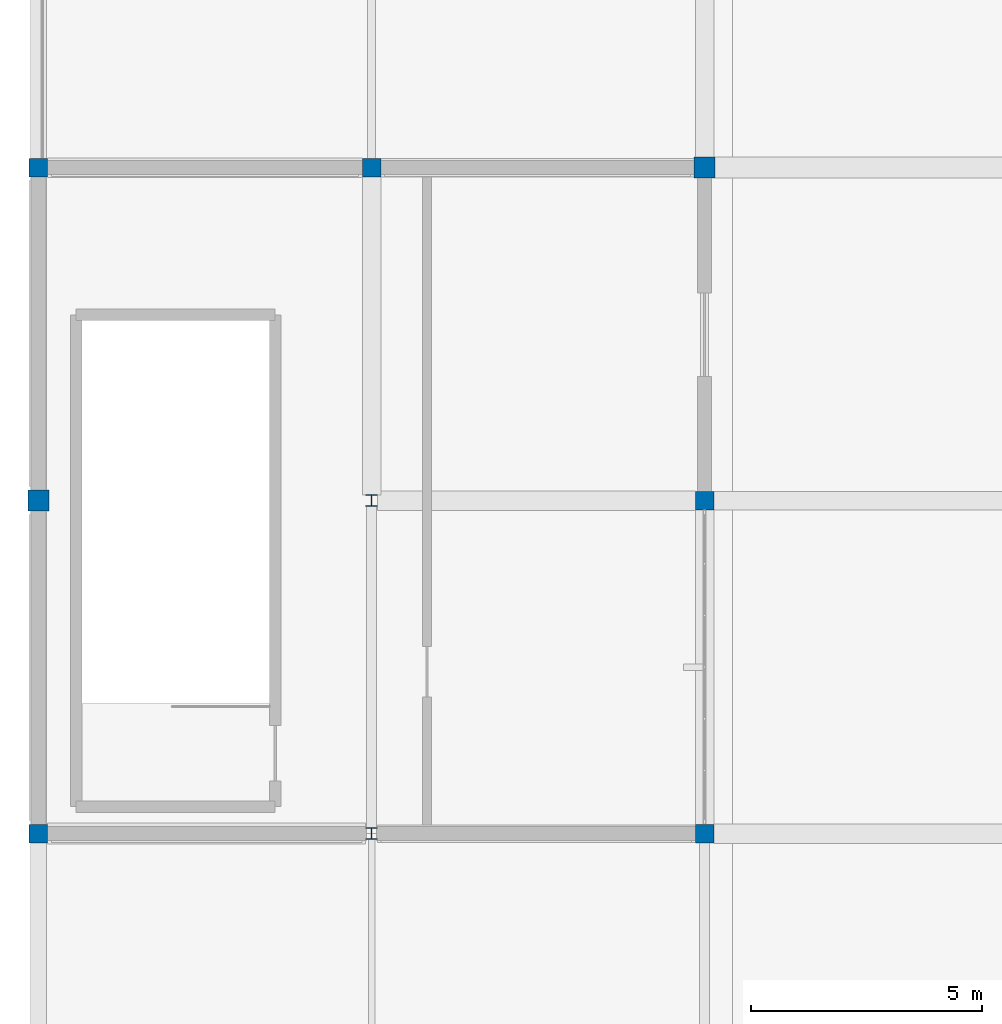
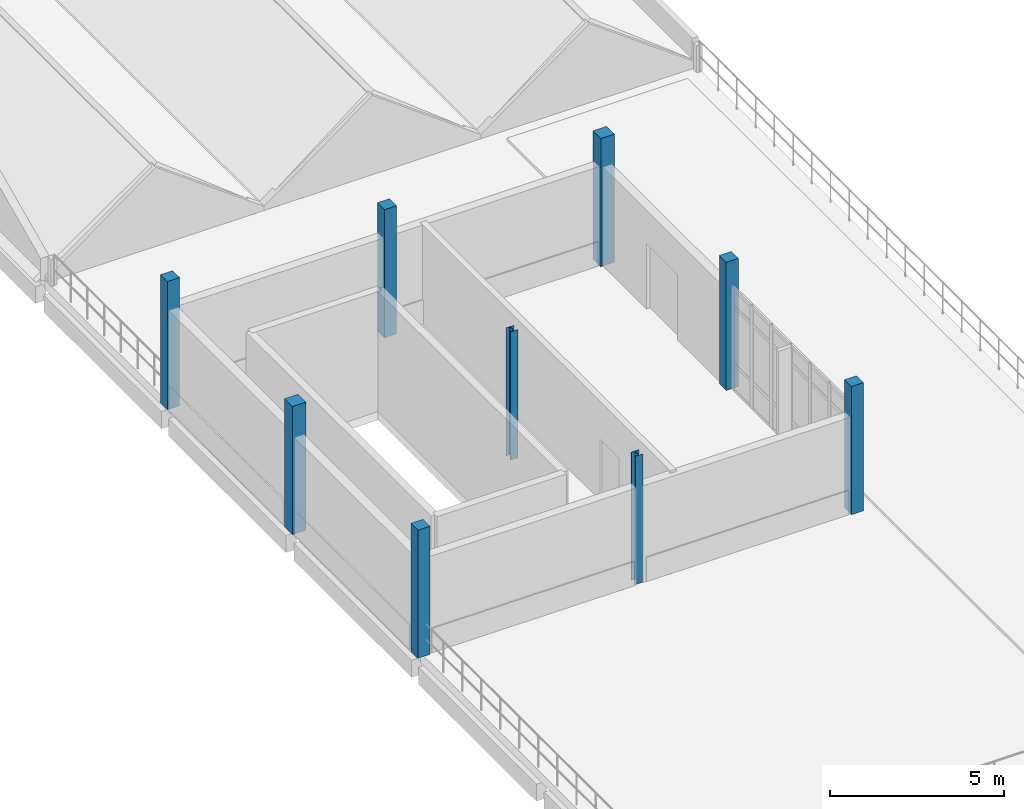
# One storey, part 1 of 41: 9 columns.
"""IFC4 building model written with IfcOpenShell, lengths in metres."""

import ifcopenshell
import ifcopenshell.guid

model = None  # the IFC model being written
_history = None  # IfcOwnerHistory: only IFC2X3 demands one
_inside = {}  # id of a spatial element -> (the spatial element, [elements in it])
_under = {}  # id of a project, library or spatial element -> (it, [spatial elements below it])
_declared = {}  # id of a project -> (the project, [libraries it declares])
_typed = {}  # id of a type object -> (the type object, [elements of that type])
_made_of = {}  # id of a material, layer set ... -> (it, [elements and type objects made of it])


def new_model(schema):
    """Start an empty IFC model of exactly this schema.

    Asked for "IFC4X3", IfcOpenShell would pick the latest addendum, in which some entities
    have other attributes; the version numbers below select the first issue.
    IFC2X3 requires an IfcOwnerHistory on every rooted entity: one is made here for all.
    """
    global model, _history
    if schema == "IFC4X3":
        model = ifcopenshell.file(schema_version=(4, 3, 0, 0))
    else:
        model = ifcopenshell.file(schema=schema)
    _inside.clear()
    _under.clear()
    _declared.clear()
    _typed.clear()
    _made_of.clear()
    _history = None
    if model.schema == "IFC2X3":
        org = make("IfcOrganization", Name="unknown")
        user = make(
            "IfcPersonAndOrganization",
            ThePerson=make("IfcPerson", FamilyName="unknown"),
            TheOrganization=org,
        )
        app = make(
            "IfcApplication",
            ApplicationDeveloper=org,
            Version="unknown",
            ApplicationFullName="unknown",
            ApplicationIdentifier="unknown",
        )
        _history = make(
            "IfcOwnerHistory",
            OwningUser=user,
            OwningApplication=app,
            ChangeAction="ADDED",
            CreationDate=0,
        )
    return model


def make(cls, **values):
    """One entity of the class cls with the attributes given. An attribute that is None is left unset."""
    return model.create_entity(
        cls, **{name: value for name, value in values.items() if value is not None}
    )


def rooted(cls, **values):
    """An entity with a GlobalId (a new one), such as an element, a storey or a relation."""
    return make(cls, GlobalId=ifcopenshell.guid.new(), OwnerHistory=_history, **values)


def si_unit(unit_type, name, prefix=None):
    """IfcSIUnit, for example si_unit("LENGTHUNIT", "METRE", prefix="MILLI")."""
    return make("IfcSIUnit", UnitType=unit_type, Prefix=prefix, Name=name)


def assignment(units):
    """IfcUnitAssignment: the units of a project."""
    return None if units is None else make("IfcUnitAssignment", Units=units)


def point(xyz):
    """IfcCartesianPoint."""
    return None if xyz is None else make("IfcCartesianPoint", Coordinates=xyz)


def direction(xyz):
    """IfcDirection."""
    return None if xyz is None else make("IfcDirection", DirectionRatios=xyz)


def frame(location, z_axis=None, x_axis=None):
    """IfcAxis2Placement3D, a coordinate frame: its origin and axes. An axis left out is left unset."""
    return make(
        "IfcAxis2Placement3D",
        Location=point(location),
        Axis=direction(z_axis),
        RefDirection=direction(x_axis),
    )


def frame_2d(location, x_axis=None):
    """IfcAxis2Placement2D, a coordinate frame in the plane: its origin and x axis."""
    return make(
        "IfcAxis2Placement2D", Location=point(location), RefDirection=direction(x_axis)
    )


def origin():
    """The frame at (0, 0, 0) with its axes left unset."""
    return frame((0.0, 0.0, 0.0))


def origin_2d():
    """The frame at (0, 0) in the plane with its x axis left unset."""
    return frame_2d((0.0, 0.0))


def place(relative_to, where):
    """IfcLocalPlacement: puts the frame where relative to a parent placement (None: the world)."""
    return make(
        "IfcLocalPlacement", PlacementRelTo=relative_to, RelativePlacement=where
    )


def context(
    kind, dimensions, precision=None, world=None, true_north=None, identifier=None
):
    """IfcGeometricRepresentationContext, for example the 3D "Model" context."""
    return make(
        "IfcGeometricRepresentationContext",
        ContextIdentifier=identifier,
        ContextType=kind,
        CoordinateSpaceDimension=dimensions,
        Precision=precision,
        WorldCoordinateSystem=world,
        TrueNorth=true_north,
    )


def subcontext(parent, identifier, kind, view, scale=None):
    """IfcGeometricRepresentationSubContext, for example "Body" below "Model"."""
    return make(
        "IfcGeometricRepresentationSubContext",
        ContextIdentifier=identifier,
        ContextType=kind,
        ParentContext=parent,
        TargetScale=scale,
        TargetView=view,
    )


def project(units=None, contexts=None):
    """IfcProject with its units and contexts."""
    return rooted(
        "IfcProject",
        Name="project",
        RepresentationContexts=contexts,
        UnitsInContext=assignment(units),
    )


def spatial(cls, under=None, at=None, **own):
    """A site, building, storey or space (cls), placed at a placement, below another one or the project."""
    s = rooted(cls, ObjectPlacement=at, **own)
    if under is not None:
        _under.setdefault(under.id(), (under, []))[1].append(s)
    return s


def profile(cls, at=None, kind="AREA", **sizes):
    """A parametric profile (cls). Its sizes go by their IFC names, for example OverallWidth=200.0."""
    return make(cls, ProfileType=kind, Position=at, **sizes)


def rectangle(**sizes):
    """IfcRectangleProfileDef."""
    return profile("IfcRectangleProfileDef", **sizes)


def i_section(**sizes):
    """IfcIShapeProfileDef."""
    return profile("IfcIShapeProfileDef", **sizes)


def extrude(swept, where, along, depth):
    """IfcExtrudedAreaSolid: the profile swept, set in the frame where, extruded along a direction by depth."""
    return make(
        "IfcExtrudedAreaSolid",
        SweptArea=swept,
        Position=where,
        ExtrudedDirection=direction(along),
        Depth=depth,
    )


def shape(context_of_items, identifier, shape_type, items):
    """IfcShapeRepresentation: the items that make up one representation, for example the "Body"."""
    return make(
        "IfcShapeRepresentation",
        ContextOfItems=context_of_items,
        RepresentationIdentifier=identifier,
        RepresentationType=shape_type,
        Items=items,
    )


def material(Name=None, Category=None):
    """IfcMaterial."""
    return make("IfcMaterial", Name=Name, Category=Category)


def material_profile(
    of_material, cross_section, Name=None, Category=None, Priority=None
):
    """IfcMaterialProfile: a cross section and its material."""
    return make(
        "IfcMaterialProfile",
        Name=Name,
        Material=of_material,
        Profile=cross_section,
        Priority=Priority,
        Category=Category,
    )


def profile_set(profiles, Name=None, composite=None):
    """IfcMaterialProfileSet."""
    return make(
        "IfcMaterialProfileSet",
        Name=Name,
        MaterialProfiles=profiles,
        CompositeProfile=composite,
    )


def made_of(thing, what):
    """Note that an element or type object is made of a material, layer set ...; save() writes the relation."""
    if what is not None:
        _made_of.setdefault(what.id(), (what, []))[1].append(thing)
    return thing


def type_object(cls, material=None, **own):
    """A type object (cls), such as IfcWallType, which elements share."""
    return made_of(rooted(cls, **own), material)


def element(
    cls,
    number,
    at=None,
    inside=None,
    cuts=None,
    type_object=None,
    material=None,
    context=None,
    identifier="Body",
    shape_type=None,
    held_by="IfcProductDefinitionShape",
    body=None,
    shapes=None,
    **own,
):
    """One element of the class cls, such as IfcWall. Its Tag is "e" and its number.

    at: its placement. inside: the storey or other place that contains it. cuts: it is an
    opening in that element (IfcRelVoidsElement). A single representation is given by context,
    identifier, shape_type and body (its items); several are given by shapes. held_by: the class
    of the entity that holds the representations. save() writes the other relations.
    """
    e = rooted(cls, Tag="e%d" % number, ObjectPlacement=at, **own)
    if body is not None:
        shapes = [shape(context, identifier, shape_type, body)]
    if shapes is not None:
        e.Representation = make(held_by, Representations=shapes)
    if inside is not None:
        _inside.setdefault(inside.id(), (inside, []))[1].append(e)
    if cuts is not None:
        rooted(
            "IfcRelVoidsElement", RelatingBuildingElement=cuts, RelatedOpeningElement=e
        )
    if type_object is not None:
        _typed.setdefault(type_object.id(), (type_object, []))[1].append(e)
    return made_of(e, material)


def aggregate(whole, parts):
    """IfcRelAggregates: a whole, such as a stair, and the parts it consists of."""
    return rooted("IfcRelAggregates", RelatingObject=whole, RelatedObjects=parts)


def save(model, path):
    """Write the relations noted so far, then the file.

    IfcRelAggregates (storeys below a building ...), IfcRelContainedInSpatialStructure (elements
    in a storey), IfcRelDefinesByType, IfcRelAssociatesMaterial and IfcRelDeclares: one each for
    every whole, place, type object, material and project.
    """
    for whole, parts in _under.values():
        aggregate(whole, parts)
    for where, things in _inside.values():
        rooted(
            "IfcRelContainedInSpatialStructure",
            RelatedElements=things,
            RelatingStructure=where,
        )
    for kind, things in _typed.values():
        rooted("IfcRelDefinesByType", RelatedObjects=things, RelatingType=kind)
    for what, things in _made_of.values():
        rooted("IfcRelAssociatesMaterial", RelatedObjects=things, RelatingMaterial=what)
    for by, libraries in _declared.values():
        rooted("IfcRelDeclares", RelatingContext=by, RelatedDefinitions=libraries)
    model.write(path)


model = new_model("IFC4")

# Units and contexts
model_context = context("Model", 3, precision=1e-05, world=origin(), true_north=direction((0.0, 1.0)))
body_context = subcontext(model_context, "Body", "Model", "MODEL_VIEW")
ifc_project = project(units=[si_unit("LENGTHUNIT", "METRE"), si_unit("AREAUNIT", "SQUARE_METRE"), si_unit("VOLUMEUNIT", "CUBIC_METRE"), si_unit("PLANEANGLEUNIT", "RADIAN"), si_unit("MASSUNIT", "GRAM", prefix="KILO")], contexts=[model_context])

# Site, building, storey
site_placement = place(None, origin())
site = spatial("IfcSite", under=ifc_project, at=site_placement, CompositionType="ELEMENT")
building_placement = place(site_placement, origin())
building = spatial("IfcBuilding", under=site, at=building_placement, Name="Kalluvel Institute of Natural Sciences", CompositionType="ELEMENT")
storey_placement = place(building_placement, frame((0.0, 0.0, 32.39990234375)))
storey = spatial("IfcBuildingStorey", under=building, at=storey_placement, Name="L07", CompositionType="ELEMENT", Elevation=32.39990234375)

# Columns
ifc_material_1 = material(Name="Steel E350 Grade 350", Category="steel")
ifc_material_profile_1 = material_profile(ifc_material_1, i_section(OverallWidth=0.25, OverallDepth=0.25, WebThickness=0.0087890625, FlangeThickness=0.009765625, FilletRadius=0.010009765625, at=origin_2d()), Name="ISHB 250")
ifc_profile_set_1 = profile_set([ifc_material_profile_1], Name="Steel E350 Grade 350")
column_type_1 = type_object("IfcColumnType", Name="COL-ISHB250", PredefinedType="COLUMN", material=ifc_profile_set_1)
for number, where, z_axis, x_axis, name in (
    (1, (21.199951171875, 42.800048828125, 0.0), (0.0, 0.0, 1.0), (1.0, 0.0, 0.0), "L07 structural column COL-L07-X212-Y428"),
    (2, (21.199951171875, 50.0, 0.0), (0.0, 0.0, 1.0), (1.0, 0.0, 0.0), "L07 structural column COL-L07-X212-Y500"),
):
    element("IfcColumn", number, at=place(storey_placement, frame(where, z_axis=z_axis, x_axis=x_axis)), inside=storey, type_object=column_type_1, Name=name, PredefinedType="COLUMN", context=body_context, shape_type="SweptSolid", body=[
        extrude(i_section(OverallWidth=0.25, OverallDepth=0.25, WebThickness=0.0087890625, FlangeThickness=0.009765625, FilletRadius=0.010009765625, at=origin_2d()), origin(), (0.0, 0.0, 1.0), 4.5),
    ])
ifc_material_2 = material(Name="Concrete M40", Category="concrete")
ifc_material_profile_2 = material_profile(ifc_material_2, rectangle(XDim=0.39990234375, YDim=0.39990234375, at=origin_2d()), Name="RC 400x400")
ifc_profile_set_2 = profile_set([ifc_material_profile_2], Name="Concrete M40")
column_type_2 = type_object("IfcColumnType", Name="COL-RC400", PredefinedType="COLUMN", material=ifc_profile_set_2)
for number, where, z_axis, x_axis, name in (
    (3, (14.0, 42.800048828125, 0.0), (0.0, 0.0, 1.0), (1.0, 0.0, 0.0), "L07 structural column COL-L07-X140-Y428"),
    (4, (14.0, 57.199951171875, 0.0), (0.0, 0.0, 1.0), (1.0, 0.0, 0.0), "L07 structural column COL-L07-X140-Y572"),
    (5, (21.199951171875, 57.199951171875, 0.0), (0.0, 0.0, 1.0), (1.0, 0.0, 0.0), "L07 structural column COL-L07-X212-Y572"),
    (6, (28.39990234375, 42.800048828125, 0.0), (0.0, 0.0, 1.0), (1.0, 0.0, 0.0), "L07 structural column COL-L07-X284-Y428"),
    (7, (28.39990234375, 50.0, 0.0), (0.0, 0.0, 1.0), (1.0, 0.0, 0.0), "L07 structural column COL-L07-X284-Y500"),
):
    element("IfcColumn", number, at=place(storey_placement, frame(where, z_axis=z_axis, x_axis=x_axis)), inside=storey, type_object=column_type_2, Name=name, PredefinedType="COLUMN", context=body_context, shape_type="SweptSolid", body=[
        extrude(rectangle(XDim=0.39990234375, YDim=0.39990234375, at=origin_2d()), origin(), (0.0, 0.0, 1.0), 4.5),
    ])
ifc_material_profile_3 = material_profile(ifc_material_2, rectangle(XDim=0.449951171875, YDim=0.449951171875, at=origin_2d()), Name="RC 450x450")
ifc_profile_set_3 = profile_set([ifc_material_profile_3], Name="Concrete M40")
column_type_3 = type_object("IfcColumnType", Name="COL-RC450", PredefinedType="COLUMN", material=ifc_profile_set_3)
for number, where, z_axis, x_axis, name in (
    (8, (14.0, 50.0, 0.0), (0.0, 0.0, 1.0), (1.0, 0.0, 0.0), "L07 structural column COL-L07-X140-Y500"),
    (9, (28.39990234375, 57.199951171875, 0.0), (0.0, 0.0, 1.0), (1.0, 0.0, 0.0), "L07 structural column COL-L07-X284-Y572"),
):
    element("IfcColumn", number, at=place(storey_placement, frame(where, z_axis=z_axis, x_axis=x_axis)), inside=storey, type_object=column_type_3, Name=name, PredefinedType="COLUMN", context=body_context, shape_type="SweptSolid", body=[
        extrude(rectangle(XDim=0.449951171875, YDim=0.449951171875, at=origin_2d()), origin(), (0.0, 0.0, 1.0), 4.5),
    ])

save(model, "model.ifc")
